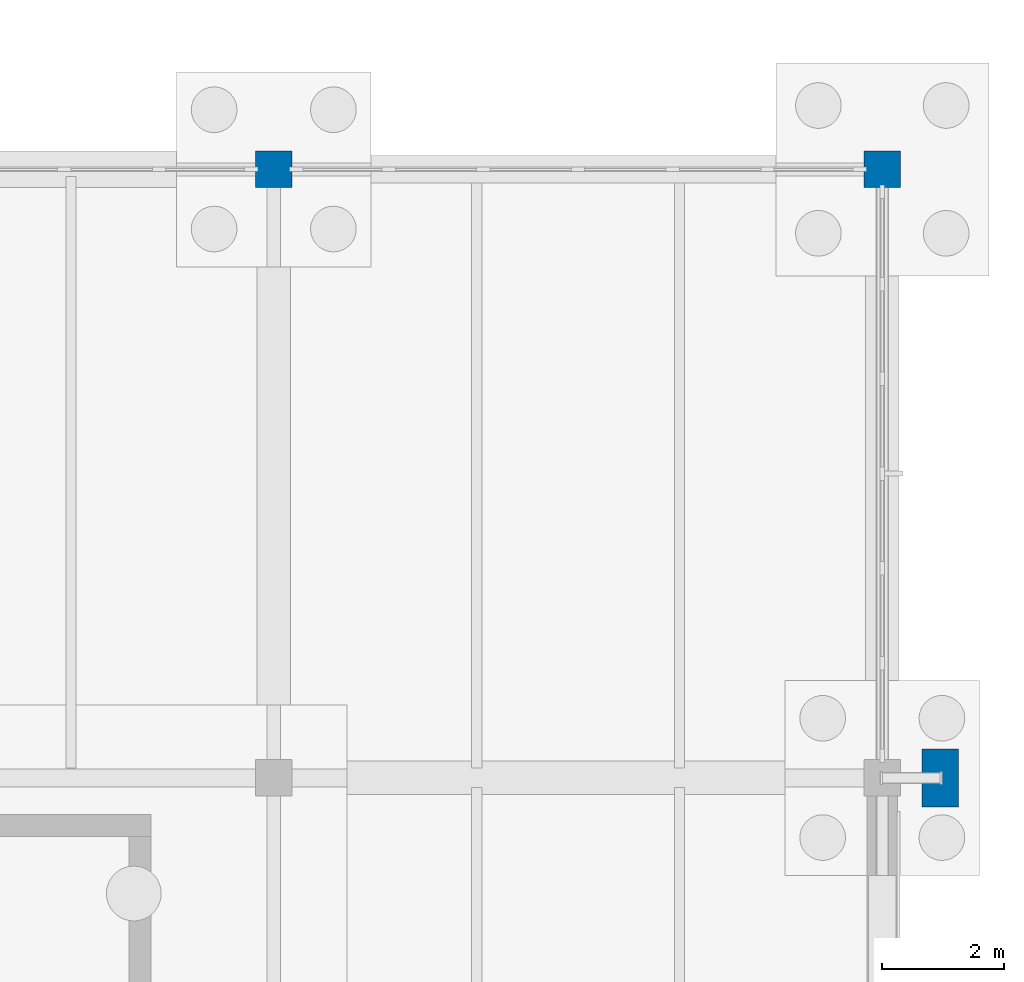
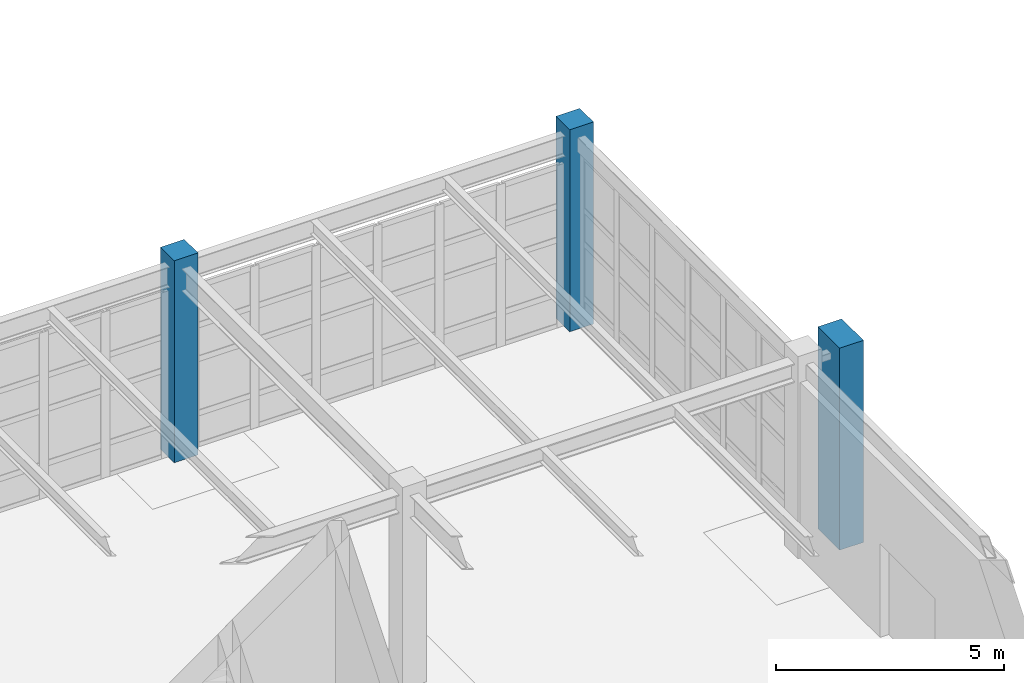
# One storey, part 29 of 145: 3 columns.
"""IFC4 building model written with IfcOpenShell, lengths in metres."""

from ifc_helpers import new_model, si_unit, direction, frame, origin, origin_2d, place, context, subcontext, project, spatial, rectangle, extrude, material, material_profile, profile_set, type_object, element, save


model = new_model("IFC4")

# Units and contexts
model_context = context("Model", 3, precision=1e-05, world=origin(), true_north=direction((0.0, 1.0)))
body_context = subcontext(model_context, "Body", "Model", "MODEL_VIEW")
ifc_project = project(units=[si_unit("LENGTHUNIT", "METRE"), si_unit("AREAUNIT", "SQUARE_METRE"), si_unit("VOLUMEUNIT", "CUBIC_METRE"), si_unit("PLANEANGLEUNIT", "RADIAN"), si_unit("MASSUNIT", "GRAM", prefix="KILO"), si_unit("THERMODYNAMICTEMPERATUREUNIT", "KELVIN"), si_unit("POWERUNIT", "WATT")], contexts=[model_context])

# Site, building, storey
site_placement = place(None, origin())
site = spatial("IfcSite", under=ifc_project, at=site_placement, CompositionType="ELEMENT")
building_placement = place(site_placement, origin())
building = spatial("IfcBuilding", under=site, at=building_placement, Name="Korenveer Ferry Terminal", CompositionType="ELEMENT")
storey_placement = place(building_placement, origin())
storey = spatial("IfcBuildingStorey", under=building, at=storey_placement, Name="L00", CompositionType="ELEMENT", Elevation=0.0)

# Columns
ifc_material_1 = material(Name="Concrete C45/55", Category="concrete")
ifc_material_profile_1 = material_profile(ifc_material_1, rectangle(XDim=0.60009765625, YDim=0.60009765625, at=origin_2d()), Name="RC 600x600")
ifc_profile_set_1 = profile_set([ifc_material_profile_1], Name="Concrete C45/55")
column_type_1 = type_object("IfcColumnType", Name="STR-COL-RC600", PredefinedType="COLUMN", material=ifc_profile_set_1)
for number, where, z_axis, x_axis, name in (
    (1, (166.0, 80.0, 0.0), (0.0, 0.0, 1.0), (1.0, 0.0, 0.0), "Column COL-L00-X166-Y80"),
    (2, (176.0, 80.0, 0.0), (0.0, 0.0, 1.0), (1.0, 0.0, 0.0), "Column COL-L00-X176-Y80"),
):
    element("IfcColumn", number, at=place(storey_placement, frame(where, z_axis=z_axis, x_axis=x_axis)), inside=storey, type_object=column_type_1, Name=name, PredefinedType="COLUMN", context=body_context, shape_type="SweptSolid", body=[
        extrude(rectangle(XDim=0.60009765625, YDim=0.60009765625, at=origin_2d()), origin(), (0.0, 0.0, 1.0), 5.39990234375),
    ])
ifc_material_2 = material(Name="Precast concrete C45/55", Category="concrete")
ifc_material_profile_2 = material_profile(ifc_material_2, rectangle(XDim=0.60009765625, YDim=0.949951171875, at=origin_2d()), Name="RC 600x950")
ifc_profile_set_2 = profile_set([ifc_material_profile_2], Name="Precast concrete C45/55")
column_type_2 = type_object("IfcColumnType", Name="STR-PIL-STONE600", PredefinedType="PILASTER", material=ifc_profile_set_2)
column_placement = place(storey_placement, frame((176.949951171875, 70.0, 0.0), z_axis=(0.0, 0.0, 1.0), x_axis=(1.0, 0.0, 0.0)))
element("IfcColumn", 3, at=column_placement, inside=storey, type_object=column_type_2, Name="Buttress pilaster 34", PredefinedType="PILASTER", context=body_context, shape_type="SweptSolid", body=[
    extrude(rectangle(XDim=0.60009765625, YDim=0.949951171875, at=origin_2d()), origin(), (0.0, 0.0, 1.0), 5.39990234375),
])

save(model, "model.ifc")
